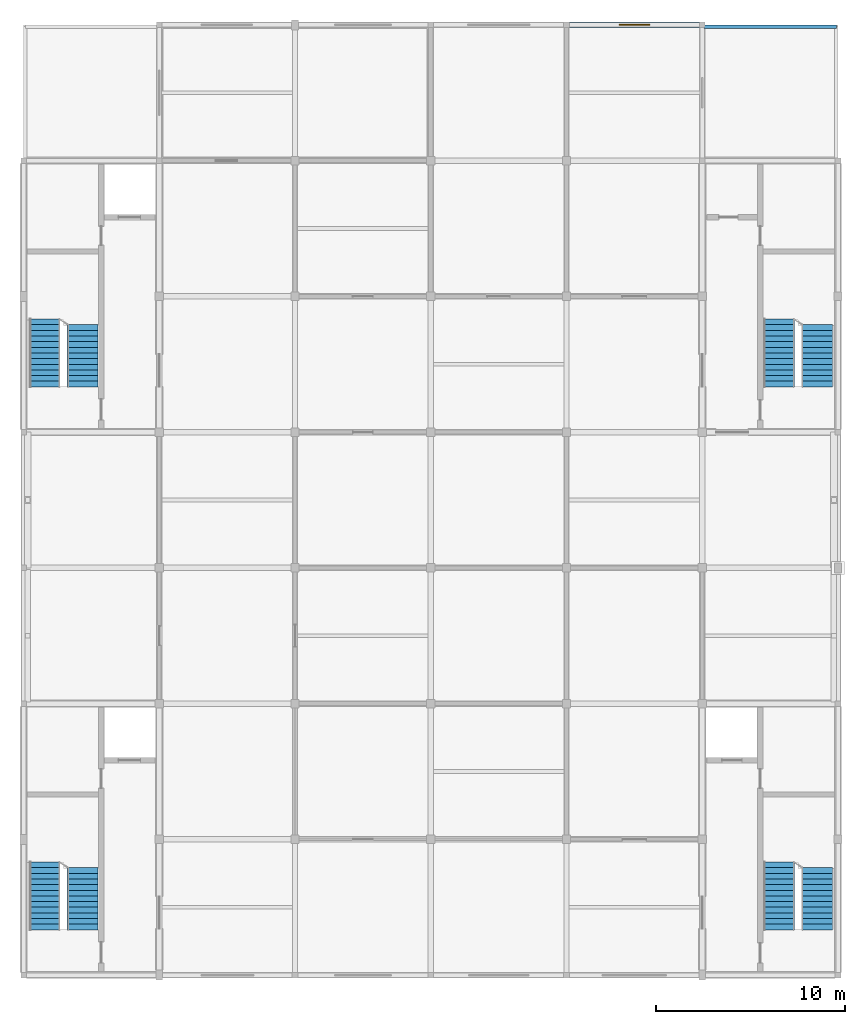
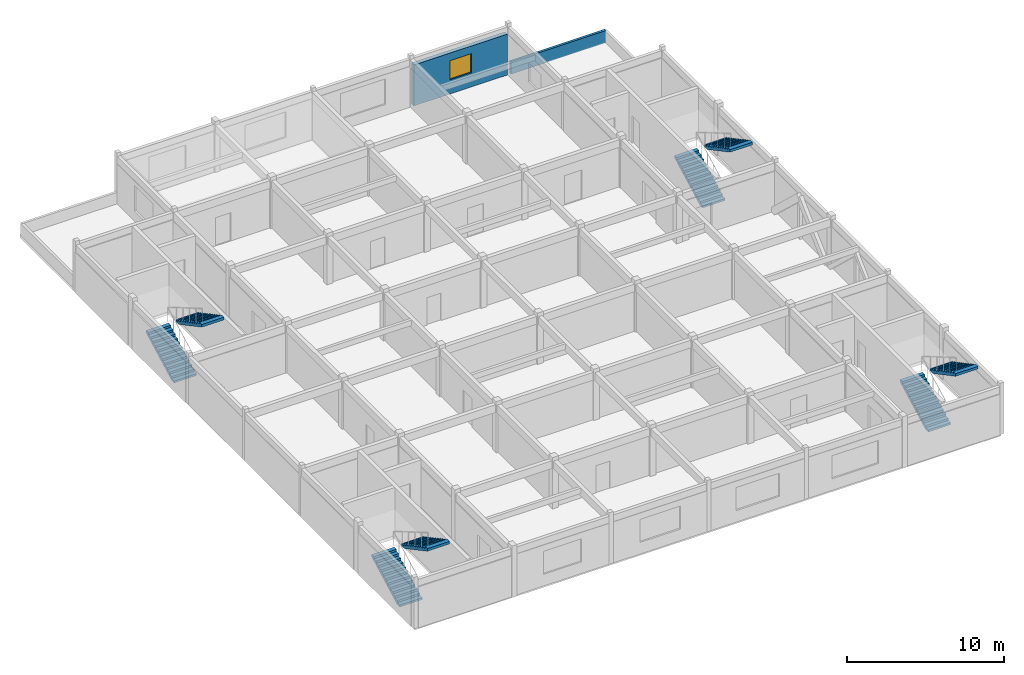
# One storey, part 5 of 6: 8 stair flights, 2 walls, 1 window, 1 opening, 4 elements without a shape of their own.
"""IFC4 building model written with IfcOpenShell, lengths in metres."""

import ifcopenshell
import ifcopenshell.guid

model = None  # the IFC model being written
_history = None  # IfcOwnerHistory: only IFC2X3 demands one
_inside = {}  # id of a spatial element -> (the spatial element, [elements in it])
_under = {}  # id of a project, library or spatial element -> (it, [spatial elements below it])
_declared = {}  # id of a project -> (the project, [libraries it declares])
_typed = {}  # id of a type object -> (the type object, [elements of that type])
_made_of = {}  # id of a material, layer set ... -> (it, [elements and type objects made of it])


def new_model(schema):
    """Start an empty IFC model of exactly this schema.

    Asked for "IFC4X3", IfcOpenShell would pick the latest addendum, in which some entities
    have other attributes; the version numbers below select the first issue.
    IFC2X3 requires an IfcOwnerHistory on every rooted entity: one is made here for all.
    """
    global model, _history
    if schema == "IFC4X3":
        model = ifcopenshell.file(schema_version=(4, 3, 0, 0))
    else:
        model = ifcopenshell.file(schema=schema)
    _inside.clear()
    _under.clear()
    _declared.clear()
    _typed.clear()
    _made_of.clear()
    _history = None
    if model.schema == "IFC2X3":
        org = make("IfcOrganization", Name="unknown")
        user = make(
            "IfcPersonAndOrganization",
            ThePerson=make("IfcPerson", FamilyName="unknown"),
            TheOrganization=org,
        )
        app = make(
            "IfcApplication",
            ApplicationDeveloper=org,
            Version="unknown",
            ApplicationFullName="unknown",
            ApplicationIdentifier="unknown",
        )
        _history = make(
            "IfcOwnerHistory",
            OwningUser=user,
            OwningApplication=app,
            ChangeAction="ADDED",
            CreationDate=0,
        )
    return model


def make(cls, **values):
    """One entity of the class cls with the attributes given. An attribute that is None is left unset."""
    return model.create_entity(
        cls, **{name: value for name, value in values.items() if value is not None}
    )


def rooted(cls, **values):
    """An entity with a GlobalId (a new one), such as an element, a storey or a relation."""
    return make(cls, GlobalId=ifcopenshell.guid.new(), OwnerHistory=_history, **values)


def si_unit(unit_type, name, prefix=None):
    """IfcSIUnit, for example si_unit("LENGTHUNIT", "METRE", prefix="MILLI")."""
    return make("IfcSIUnit", UnitType=unit_type, Prefix=prefix, Name=name)


def assignment(units):
    """IfcUnitAssignment: the units of a project."""
    return None if units is None else make("IfcUnitAssignment", Units=units)


def point(xyz):
    """IfcCartesianPoint."""
    return None if xyz is None else make("IfcCartesianPoint", Coordinates=xyz)


def direction(xyz):
    """IfcDirection."""
    return None if xyz is None else make("IfcDirection", DirectionRatios=xyz)


def frame(location, z_axis=None, x_axis=None):
    """IfcAxis2Placement3D, a coordinate frame: its origin and axes. An axis left out is left unset."""
    return make(
        "IfcAxis2Placement3D",
        Location=point(location),
        Axis=direction(z_axis),
        RefDirection=direction(x_axis),
    )


def frame_2d(location, x_axis=None):
    """IfcAxis2Placement2D, a coordinate frame in the plane: its origin and x axis."""
    return make(
        "IfcAxis2Placement2D", Location=point(location), RefDirection=direction(x_axis)
    )


def origin():
    """The frame at (0, 0, 0) with its axes left unset."""
    return frame((0.0, 0.0, 0.0))


def place(relative_to, where):
    """IfcLocalPlacement: puts the frame where relative to a parent placement (None: the world)."""
    return make(
        "IfcLocalPlacement", PlacementRelTo=relative_to, RelativePlacement=where
    )


def context(
    kind, dimensions, precision=None, world=None, true_north=None, identifier=None
):
    """IfcGeometricRepresentationContext, for example the 3D "Model" context."""
    return make(
        "IfcGeometricRepresentationContext",
        ContextIdentifier=identifier,
        ContextType=kind,
        CoordinateSpaceDimension=dimensions,
        Precision=precision,
        WorldCoordinateSystem=world,
        TrueNorth=true_north,
    )


def subcontext(parent, identifier, kind, view, scale=None):
    """IfcGeometricRepresentationSubContext, for example "Body" below "Model"."""
    return make(
        "IfcGeometricRepresentationSubContext",
        ContextIdentifier=identifier,
        ContextType=kind,
        ParentContext=parent,
        TargetScale=scale,
        TargetView=view,
    )


def project(units=None, contexts=None):
    """IfcProject with its units and contexts."""
    return rooted(
        "IfcProject",
        Name="project",
        RepresentationContexts=contexts,
        UnitsInContext=assignment(units),
    )


def spatial(cls, under=None, at=None, **own):
    """A site, building, storey or space (cls), placed at a placement, below another one or the project."""
    s = rooted(cls, ObjectPlacement=at, **own)
    if under is not None:
        _under.setdefault(under.id(), (under, []))[1].append(s)
    return s


def polyline(points):
    """IfcPolyline through the points."""
    return make("IfcPolyline", Points=[point(p) for p in points])


def profile(cls, at=None, kind="AREA", **sizes):
    """A parametric profile (cls). Its sizes go by their IFC names, for example OverallWidth=200.0."""
    return make(cls, ProfileType=kind, Position=at, **sizes)


def rectangle(**sizes):
    """IfcRectangleProfileDef."""
    return profile("IfcRectangleProfileDef", **sizes)


def outline(outer, holes=None, kind="AREA"):
    """IfcArbitraryClosedProfileDef: a profile drawn as a closed curve; with holes, ...WithVoids."""
    if holes is None:
        return make("IfcArbitraryClosedProfileDef", ProfileType=kind, OuterCurve=outer)
    return make(
        "IfcArbitraryProfileDefWithVoids",
        ProfileType=kind,
        OuterCurve=outer,
        InnerCurves=holes,
    )


def extrude(swept, where, along, depth):
    """IfcExtrudedAreaSolid: the profile swept, set in the frame where, extruded along a direction by depth."""
    return make(
        "IfcExtrudedAreaSolid",
        SweptArea=swept,
        Position=where,
        ExtrudedDirection=direction(along),
        Depth=depth,
    )


def shape(context_of_items, identifier, shape_type, items):
    """IfcShapeRepresentation: the items that make up one representation, for example the "Body"."""
    return make(
        "IfcShapeRepresentation",
        ContextOfItems=context_of_items,
        RepresentationIdentifier=identifier,
        RepresentationType=shape_type,
        Items=items,
    )


def material(Name=None, Category=None):
    """IfcMaterial."""
    return make("IfcMaterial", Name=Name, Category=Category)


def layer(
    of_material, thickness, ventilated=None, Name=None, Category=None, Priority=None
):
    """IfcMaterialLayer: one layer of a wall or slab, of a material (None: an air gap)."""
    return make(
        "IfcMaterialLayer",
        Material=of_material,
        LayerThickness=thickness,
        IsVentilated=ventilated,
        Name=Name,
        Category=Category,
        Priority=Priority,
    )


def layer_set(layers, Name=None):
    """IfcMaterialLayerSet."""
    return make("IfcMaterialLayerSet", MaterialLayers=layers, LayerSetName=Name)


def made_of(thing, what):
    """Note that an element or type object is made of a material, layer set ...; save() writes the relation."""
    if what is not None:
        _made_of.setdefault(what.id(), (what, []))[1].append(thing)
    return thing


def type_object(cls, material=None, **own):
    """A type object (cls), such as IfcWallType, which elements share."""
    return made_of(rooted(cls, **own), material)


def element(
    cls,
    number,
    at=None,
    inside=None,
    cuts=None,
    type_object=None,
    material=None,
    context=None,
    identifier="Body",
    shape_type=None,
    held_by="IfcProductDefinitionShape",
    body=None,
    shapes=None,
    **own,
):
    """One element of the class cls, such as IfcWall. Its Tag is "e" and its number.

    at: its placement. inside: the storey or other place that contains it. cuts: it is an
    opening in that element (IfcRelVoidsElement). A single representation is given by context,
    identifier, shape_type and body (its items); several are given by shapes. held_by: the class
    of the entity that holds the representations. save() writes the other relations.
    """
    e = rooted(cls, Tag="e%d" % number, ObjectPlacement=at, **own)
    if body is not None:
        shapes = [shape(context, identifier, shape_type, body)]
    if shapes is not None:
        e.Representation = make(held_by, Representations=shapes)
    if inside is not None:
        _inside.setdefault(inside.id(), (inside, []))[1].append(e)
    if cuts is not None:
        rooted(
            "IfcRelVoidsElement", RelatingBuildingElement=cuts, RelatedOpeningElement=e
        )
    if type_object is not None:
        _typed.setdefault(type_object.id(), (type_object, []))[1].append(e)
    return made_of(e, material)


def fill(opening, filler):
    """IfcRelFillsElement: the door or window that sits in an opening."""
    return rooted(
        "IfcRelFillsElement",
        RelatingOpeningElement=opening,
        RelatedBuildingElement=filler,
    )


def aggregate(whole, parts):
    """IfcRelAggregates: a whole, such as a stair, and the parts it consists of."""
    return rooted("IfcRelAggregates", RelatingObject=whole, RelatedObjects=parts)


def save(model, path):
    """Write the relations noted so far, then the file.

    IfcRelAggregates (storeys below a building ...), IfcRelContainedInSpatialStructure (elements
    in a storey), IfcRelDefinesByType, IfcRelAssociatesMaterial and IfcRelDeclares: one each for
    every whole, place, type object, material and project.
    """
    for whole, parts in _under.values():
        aggregate(whole, parts)
    for where, things in _inside.values():
        rooted(
            "IfcRelContainedInSpatialStructure",
            RelatedElements=things,
            RelatingStructure=where,
        )
    for kind, things in _typed.values():
        rooted("IfcRelDefinesByType", RelatedObjects=things, RelatingType=kind)
    for what, things in _made_of.values():
        rooted("IfcRelAssociatesMaterial", RelatedObjects=things, RelatingMaterial=what)
    for by, libraries in _declared.values():
        rooted("IfcRelDeclares", RelatingContext=by, RelatedDefinitions=libraries)
    model.write(path)


model = new_model("IFC4")

# Units and contexts
model_context = context("Model", 3, precision=1e-05, world=origin(), true_north=direction((0.0, 1.0)))
body_context = subcontext(model_context, "Body", "Model", "MODEL_VIEW")
ifc_project = project(units=[si_unit("LENGTHUNIT", "METRE"), si_unit("AREAUNIT", "SQUARE_METRE"), si_unit("VOLUMEUNIT", "CUBIC_METRE"), si_unit("PLANEANGLEUNIT", "RADIAN"), si_unit("MASSUNIT", "GRAM", prefix="KILO")], contexts=[model_context])

# Site, building, storey
site_placement = place(None, origin())
site = spatial("IfcSite", under=ifc_project, at=site_placement, CompositionType="ELEMENT")
building_placement = place(site_placement, origin())
building = spatial("IfcBuilding", under=site, at=building_placement, Name="Cendaluz Park School", CompositionType="ELEMENT")
storey_placement = place(building_placement, frame((0.0, 0.0, 59.0)))
storey = spatial("IfcBuildingStorey", under=building, at=storey_placement, Name="L14", CompositionType="ELEMENT", Elevation=59.0)

# Wall, opening, window
ifc_material_1 = material(Name="Cross-laminated timber CLT C24", Category="wood")
ifc_layer_1 = layer(ifc_material_1, 0.300048828125)
ifc_layer_set_1 = layer_set([ifc_layer_1], Name="Cross-laminated timber CLT C24")
wall_type_1 = type_object("IfcWallType", Name="W-EX30", PredefinedType="SOLIDWALL", material=ifc_layer_set_1)
wall_1_placement = place(storey_placement, frame((93.75, 64.800048828125, 0.0), z_axis=(0.0, 0.0, 1.0), x_axis=(1.0, 0.0, 0.0)))
wall_1 = element("IfcWall", 1, at=wall_1_placement, inside=storey, type_object=wall_type_1, Name="WL-FO-AB0", PredefinedType="SOLIDWALL", context=body_context, shape_type="SweptSolid", body=[
    extrude(rectangle(XDim=6.89990234375, YDim=0.300048828125, at=frame_2d((3.449951171875, 0.0))), origin(), (0.0, 0.0, 1.0), 3.18994140625),
])
opening_placement = place(wall_1_placement, frame((2.64990234375, 0.0, 1.10009765625)))
opening = element("IfcOpeningElement", 2, at=opening_placement, cuts=wall_1, Name="Opening WN-16", PredefinedType="OPENING", context=body_context, shape_type="SweptSolid", body=[
    extrude(rectangle(XDim=1.60009765625, YDim=1.5, at=frame_2d((0.800048828125, 0.75))), frame((0.0, 0.162109375, 0.0), z_axis=(0.0, -1.0, 0.0), x_axis=(1.0, 0.0, 0.0)), (0.0, 0.0, 1.0), 0.323974609375),
])
ifc_material_2 = material(Name="Tempered Low-E Double Glazing", Category="glass")
window_type = type_object("IfcWindowType", Name="WN-16", PartitioningType="SINGLE_PANEL", PredefinedType="WINDOW", material=ifc_material_2)
window_placement = place(opening_placement, origin())
window = element("IfcWindow", 3, at=window_placement, inside=storey, type_object=window_type, Name="WN-L14-009", OverallHeight=1.5, OverallWidth=1.60009765625, PartitioningType="SINGLE_PANEL", PredefinedType="WINDOW", context=body_context, shape_type="SweptSolid", body=[
    extrude(rectangle(XDim=1.60009765625, YDim=1.5, at=frame_2d((0.800048828125, 0.75))), frame((0.0, 0.030029296875, 0.0), z_axis=(0.0, -1.0, 0.0), x_axis=(1.0, 0.0, 0.0)), (0.0, 0.0, 1.0), 0.06005859375),
])
fill(opening, window)

# Wall
ifc_material_3 = material(Name="Concrete C40/50 precast", Category="concrete")
ifc_layer_2 = layer(ifc_material_3, 0.179931640625)
ifc_layer_set_2 = layer_set([ifc_layer_2], Name="Concrete C40/50 precast")
wall_type_2 = type_object("IfcWallType", Name="W-PR18", PredefinedType="PARAPET", material=ifc_layer_set_2)
wall_2_placement = place(storey_placement, frame((100.889892578125, 64.7099609375, 0.0), z_axis=(0.0, 0.0, 1.0), x_axis=(1.0, 0.0, 0.0)))
element("IfcWall", 4, at=wall_2_placement, inside=storey, type_object=wall_type_2, Name="WL-FO-AB6", PredefinedType="PARAPET", context=body_context, shape_type="SweptSolid", body=[
    extrude(rectangle(XDim=7.02001953125, YDim=0.179931640625, at=frame_2d((3.510009765625, 0.0))), origin(), (0.0, 0.0, 1.0), 0.949951171875),
])

# Stair, stair flight
stair_type = type_object("IfcStairType", Name="ST-400-165", PredefinedType="HALF_TURN_STAIR", material=ifc_material_1)
stair_1_placement = place(storey_placement, origin())
stair_1 = element("IfcStair", 5, at=stair_1_placement, inside=storey, type_object=stair_type, Name="ST-L14-C1", PredefinedType="HALF_TURN_STAIR")
stair_flight_type_1 = type_object("IfcStairFlightType", Name="SF-12-160-165", PredefinedType="STRAIGHT", material=ifc_material_1)
stair_flight_1_placement = place(storey_placement, frame((67.93505859375, 20.10009765625, 2.080078125), z_axis=(0.0, 0.0, 1.0), x_axis=(0.0, -1.0, 0.0)))
stair_flight_1 = element("IfcStairFlight", 6, at=stair_flight_1_placement, type_object=stair_flight_type_1, Name="SF-L14-C1-2", NumberOfRisers=12, NumberOfTreads=11, PredefinedType="STRAIGHT", RiserHeight=0.16, TreadLength=0.3, context=body_context, shape_type="SweptSolid", body=[
    extrude(outline(polyline([(0.0, 0.0), (0.0, 0.159912109375), (0.300048828125, 0.159912109375), (0.300048828125, 0.320068359375), (0.60009765625, 0.320068359375), (0.60009765625, 0.47998046875), (0.89990234375, 0.47998046875), (0.89990234375, 0.639892578125), (1.199951171875, 0.639892578125), (1.199951171875, 0.800048828125), (1.5, 0.800048828125), (1.5, 0.9599609375), (1.800048828125, 0.9599609375), (1.800048828125, 1.1201171875), (2.10009765625, 1.1201171875), (2.10009765625, 1.280029296875), (2.39990234375, 1.280029296875), (2.39990234375, 1.43994140625), (2.699951171875, 1.43994140625), (2.699951171875, 1.60009765625), (3.0, 1.60009765625), (3.0, 1.760009765625), (3.300048828125, 1.760009765625), (3.300048828125, 1.919921875), (3.300048828125, 1.55615234375), (0.38232421875, 0.0), (0.0, 0.0)])), frame((0.0, 0.824951171875, 0.0), z_axis=(0.0, -1.0, 0.0), x_axis=(1.0, 0.0, 0.0)), (0.0, 0.0, 1.0), 1.64990234375),
])

stair_2_placement = place(storey_placement, origin())
stair_2 = element("IfcStair", 7, at=stair_2_placement, inside=storey, type_object=stair_type, Name="ST-L14-C2", PredefinedType="HALF_TURN_STAIR")
stair_flight_2_placement = place(storey_placement, frame((106.885009765625, 20.10009765625, 2.080078125), z_axis=(0.0, 0.0, 1.0), x_axis=(0.0, -1.0, 0.0)))
stair_flight_2 = element("IfcStairFlight", 8, at=stair_flight_2_placement, type_object=stair_flight_type_1, Name="SF-L14-C2-2", NumberOfRisers=12, NumberOfTreads=11, PredefinedType="STRAIGHT", RiserHeight=0.16, TreadLength=0.3, context=body_context, shape_type="SweptSolid", body=[
    extrude(outline(polyline([(0.0, 0.0), (0.0, 0.159912109375), (0.300048828125, 0.159912109375), (0.300048828125, 0.320068359375), (0.60009765625, 0.320068359375), (0.60009765625, 0.47998046875), (0.89990234375, 0.47998046875), (0.89990234375, 0.639892578125), (1.199951171875, 0.639892578125), (1.199951171875, 0.800048828125), (1.5, 0.800048828125), (1.5, 0.9599609375), (1.800048828125, 0.9599609375), (1.800048828125, 1.1201171875), (2.10009765625, 1.1201171875), (2.10009765625, 1.280029296875), (2.39990234375, 1.280029296875), (2.39990234375, 1.43994140625), (2.699951171875, 1.43994140625), (2.699951171875, 1.60009765625), (3.0, 1.60009765625), (3.0, 1.760009765625), (3.300048828125, 1.760009765625), (3.300048828125, 1.919921875), (3.300048828125, 1.55615234375), (0.38232421875, 0.0), (0.0, 0.0)])), frame((0.0, 0.824951171875, 0.0), z_axis=(0.0, -1.0, 0.0), x_axis=(1.0, 0.0, 0.0)), (0.0, 0.0, 1.0), 1.64990234375),
])

stair_3_placement = place(storey_placement, origin())
stair_3 = element("IfcStair", 9, at=stair_3_placement, inside=storey, type_object=stair_type, Name="ST-L14-C3", PredefinedType="HALF_TURN_STAIR")
stair_flight_3_placement = place(storey_placement, frame((67.93505859375, 48.89990234375, 2.080078125), z_axis=(0.0, 0.0, 1.0), x_axis=(0.0, -1.0, 0.0)))
stair_flight_3 = element("IfcStairFlight", 10, at=stair_flight_3_placement, type_object=stair_flight_type_1, Name="SF-L14-C3-2", NumberOfRisers=12, NumberOfTreads=11, PredefinedType="STRAIGHT", RiserHeight=0.16, TreadLength=0.3, context=body_context, shape_type="SweptSolid", body=[
    extrude(outline(polyline([(0.0, 0.0), (0.0, 0.159912109375), (0.300048828125, 0.159912109375), (0.300048828125, 0.320068359375), (0.60009765625, 0.320068359375), (0.60009765625, 0.47998046875), (0.89990234375, 0.47998046875), (0.89990234375, 0.639892578125), (1.199951171875, 0.639892578125), (1.199951171875, 0.800048828125), (1.5, 0.800048828125), (1.5, 0.9599609375), (1.800048828125, 0.9599609375), (1.800048828125, 1.1201171875), (2.10009765625, 1.1201171875), (2.10009765625, 1.280029296875), (2.39990234375, 1.280029296875), (2.39990234375, 1.43994140625), (2.699951171875, 1.43994140625), (2.699951171875, 1.60009765625), (3.0, 1.60009765625), (3.0, 1.760009765625), (3.300048828125, 1.760009765625), (3.300048828125, 1.919921875), (3.300048828125, 1.55615234375), (0.38232421875, 0.0), (0.0, 0.0)])), frame((0.0, 0.824951171875, 0.0), z_axis=(0.0, -1.0, 0.0), x_axis=(1.0, 0.0, 0.0)), (0.0, 0.0, 1.0), 1.64990234375),
])

stair_4_placement = place(storey_placement, origin())
stair_4 = element("IfcStair", 11, at=stair_4_placement, inside=storey, type_object=stair_type, Name="ST-L14-C4", PredefinedType="HALF_TURN_STAIR")
stair_flight_4_placement = place(storey_placement, frame((106.885009765625, 48.89990234375, 2.080078125), z_axis=(0.0, 0.0, 1.0), x_axis=(0.0, -1.0, 0.0)))
stair_flight_4 = element("IfcStairFlight", 12, at=stair_flight_4_placement, type_object=stair_flight_type_1, Name="SF-L14-C4-2", NumberOfRisers=12, NumberOfTreads=11, PredefinedType="STRAIGHT", RiserHeight=0.16, TreadLength=0.3, context=body_context, shape_type="SweptSolid", body=[
    extrude(outline(polyline([(0.0, 0.0), (0.0, 0.159912109375), (0.300048828125, 0.159912109375), (0.300048828125, 0.320068359375), (0.60009765625, 0.320068359375), (0.60009765625, 0.47998046875), (0.89990234375, 0.47998046875), (0.89990234375, 0.639892578125), (1.199951171875, 0.639892578125), (1.199951171875, 0.800048828125), (1.5, 0.800048828125), (1.5, 0.9599609375), (1.800048828125, 0.9599609375), (1.800048828125, 1.1201171875), (2.10009765625, 1.1201171875), (2.10009765625, 1.280029296875), (2.39990234375, 1.280029296875), (2.39990234375, 1.43994140625), (2.699951171875, 1.43994140625), (2.699951171875, 1.60009765625), (3.0, 1.60009765625), (3.0, 1.760009765625), (3.300048828125, 1.760009765625), (3.300048828125, 1.919921875), (3.300048828125, 1.55615234375), (0.38232421875, 0.0), (0.0, 0.0)])), frame((0.0, 0.824951171875, 0.0), z_axis=(0.0, -1.0, 0.0), x_axis=(1.0, 0.0, 0.0)), (0.0, 0.0, 1.0), 1.64990234375),
])

# Stair flight
stair_flight_type_2 = type_object("IfcStairFlightType", Name="SF-13-160-165", PredefinedType="STRAIGHT", material=ifc_material_1)
stair_flight_5_placement = place(storey_placement, frame((65.9150390625, 16.800048828125, 0.0), z_axis=(0.0, 0.0, 1.0), x_axis=(0.0, 1.0, 0.0)))
stair_flight_5 = element("IfcStairFlight", 13, at=stair_flight_5_placement, type_object=stair_flight_type_2, Name="SF-L14-C1-1", NumberOfRisers=13, NumberOfTreads=12, PredefinedType="STRAIGHT", RiserHeight=0.16, TreadLength=0.3, context=body_context, shape_type="SweptSolid", body=[
    extrude(outline(polyline([(0.0, 0.0), (0.0, 0.159912109375), (0.300048828125, 0.159912109375), (0.300048828125, 0.320068359375), (0.60009765625, 0.320068359375), (0.60009765625, 0.47998046875), (0.89990234375, 0.47998046875), (0.89990234375, 0.639892578125), (1.199951171875, 0.639892578125), (1.199951171875, 0.800048828125), (1.5, 0.800048828125), (1.5, 0.9599609375), (1.800048828125, 0.9599609375), (1.800048828125, 1.1201171875), (2.10009765625, 1.1201171875), (2.10009765625, 1.280029296875), (2.39990234375, 1.280029296875), (2.39990234375, 1.43994140625), (2.699951171875, 1.43994140625), (2.699951171875, 1.60009765625), (3.0, 1.60009765625), (3.0, 1.760009765625), (3.300048828125, 1.760009765625), (3.300048828125, 1.919921875), (3.60009765625, 1.919921875), (3.60009765625, 2.080078125), (3.60009765625, 1.716064453125), (0.38232421875, 0.0), (0.0, 0.0)])), frame((0.0, 0.824951171875, 0.0), z_axis=(0.0, -1.0, 0.0), x_axis=(1.0, 0.0, 0.0)), (0.0, 0.0, 1.0), 1.64990234375),
])

aggregate(stair_1, [stair_flight_5, stair_flight_1])

stair_flight_6_placement = place(storey_placement, frame((104.864990234375, 16.800048828125, 0.0), z_axis=(0.0, 0.0, 1.0), x_axis=(0.0, 1.0, 0.0)))
stair_flight_6 = element("IfcStairFlight", 14, at=stair_flight_6_placement, type_object=stair_flight_type_2, Name="SF-L14-C2-1", NumberOfRisers=13, NumberOfTreads=12, PredefinedType="STRAIGHT", RiserHeight=0.16, TreadLength=0.3, context=body_context, shape_type="SweptSolid", body=[
    extrude(outline(polyline([(0.0, 0.0), (0.0, 0.159912109375), (0.300048828125, 0.159912109375), (0.300048828125, 0.320068359375), (0.60009765625, 0.320068359375), (0.60009765625, 0.47998046875), (0.89990234375, 0.47998046875), (0.89990234375, 0.639892578125), (1.199951171875, 0.639892578125), (1.199951171875, 0.800048828125), (1.5, 0.800048828125), (1.5, 0.9599609375), (1.800048828125, 0.9599609375), (1.800048828125, 1.1201171875), (2.10009765625, 1.1201171875), (2.10009765625, 1.280029296875), (2.39990234375, 1.280029296875), (2.39990234375, 1.43994140625), (2.699951171875, 1.43994140625), (2.699951171875, 1.60009765625), (3.0, 1.60009765625), (3.0, 1.760009765625), (3.300048828125, 1.760009765625), (3.300048828125, 1.919921875), (3.60009765625, 1.919921875), (3.60009765625, 2.080078125), (3.60009765625, 1.716064453125), (0.38232421875, 0.0), (0.0, 0.0)])), frame((0.0, 0.824951171875, 0.0), z_axis=(0.0, -1.0, 0.0), x_axis=(1.0, 0.0, 0.0)), (0.0, 0.0, 1.0), 1.64990234375),
])

aggregate(stair_2, [stair_flight_6, stair_flight_2])

stair_flight_7_placement = place(storey_placement, frame((65.9150390625, 45.60009765625, 0.0), z_axis=(0.0, 0.0, 1.0), x_axis=(0.0, 1.0, 0.0)))
stair_flight_7 = element("IfcStairFlight", 15, at=stair_flight_7_placement, type_object=stair_flight_type_2, Name="SF-L14-C3-1", NumberOfRisers=13, NumberOfTreads=12, PredefinedType="STRAIGHT", RiserHeight=0.16, TreadLength=0.3, context=body_context, shape_type="SweptSolid", body=[
    extrude(outline(polyline([(0.0, 0.0), (0.0, 0.159912109375), (0.300048828125, 0.159912109375), (0.300048828125, 0.320068359375), (0.60009765625, 0.320068359375), (0.60009765625, 0.47998046875), (0.89990234375, 0.47998046875), (0.89990234375, 0.639892578125), (1.199951171875, 0.639892578125), (1.199951171875, 0.800048828125), (1.5, 0.800048828125), (1.5, 0.9599609375), (1.800048828125, 0.9599609375), (1.800048828125, 1.1201171875), (2.10009765625, 1.1201171875), (2.10009765625, 1.280029296875), (2.39990234375, 1.280029296875), (2.39990234375, 1.43994140625), (2.699951171875, 1.43994140625), (2.699951171875, 1.60009765625), (3.0, 1.60009765625), (3.0, 1.760009765625), (3.300048828125, 1.760009765625), (3.300048828125, 1.919921875), (3.60009765625, 1.919921875), (3.60009765625, 2.080078125), (3.60009765625, 1.716064453125), (0.38232421875, 0.0), (0.0, 0.0)])), frame((0.0, 0.824951171875, 0.0), z_axis=(0.0, -1.0, 0.0), x_axis=(1.0, 0.0, 0.0)), (0.0, 0.0, 1.0), 1.64990234375),
])

aggregate(stair_3, [stair_flight_7, stair_flight_3])

stair_flight_8_placement = place(storey_placement, frame((104.864990234375, 45.60009765625, 0.0), z_axis=(0.0, 0.0, 1.0), x_axis=(0.0, 1.0, 0.0)))
stair_flight_8 = element("IfcStairFlight", 16, at=stair_flight_8_placement, type_object=stair_flight_type_2, Name="SF-L14-C4-1", NumberOfRisers=13, NumberOfTreads=12, PredefinedType="STRAIGHT", RiserHeight=0.16, TreadLength=0.3, context=body_context, shape_type="SweptSolid", body=[
    extrude(outline(polyline([(0.0, 0.0), (0.0, 0.159912109375), (0.300048828125, 0.159912109375), (0.300048828125, 0.320068359375), (0.60009765625, 0.320068359375), (0.60009765625, 0.47998046875), (0.89990234375, 0.47998046875), (0.89990234375, 0.639892578125), (1.199951171875, 0.639892578125), (1.199951171875, 0.800048828125), (1.5, 0.800048828125), (1.5, 0.9599609375), (1.800048828125, 0.9599609375), (1.800048828125, 1.1201171875), (2.10009765625, 1.1201171875), (2.10009765625, 1.280029296875), (2.39990234375, 1.280029296875), (2.39990234375, 1.43994140625), (2.699951171875, 1.43994140625), (2.699951171875, 1.60009765625), (3.0, 1.60009765625), (3.0, 1.760009765625), (3.300048828125, 1.760009765625), (3.300048828125, 1.919921875), (3.60009765625, 1.919921875), (3.60009765625, 2.080078125), (3.60009765625, 1.716064453125), (0.38232421875, 0.0), (0.0, 0.0)])), frame((0.0, 0.824951171875, 0.0), z_axis=(0.0, -1.0, 0.0), x_axis=(1.0, 0.0, 0.0)), (0.0, 0.0, 1.0), 1.64990234375),
])

aggregate(stair_4, [stair_flight_8, stair_flight_4])

save(model, "model.ifc")
